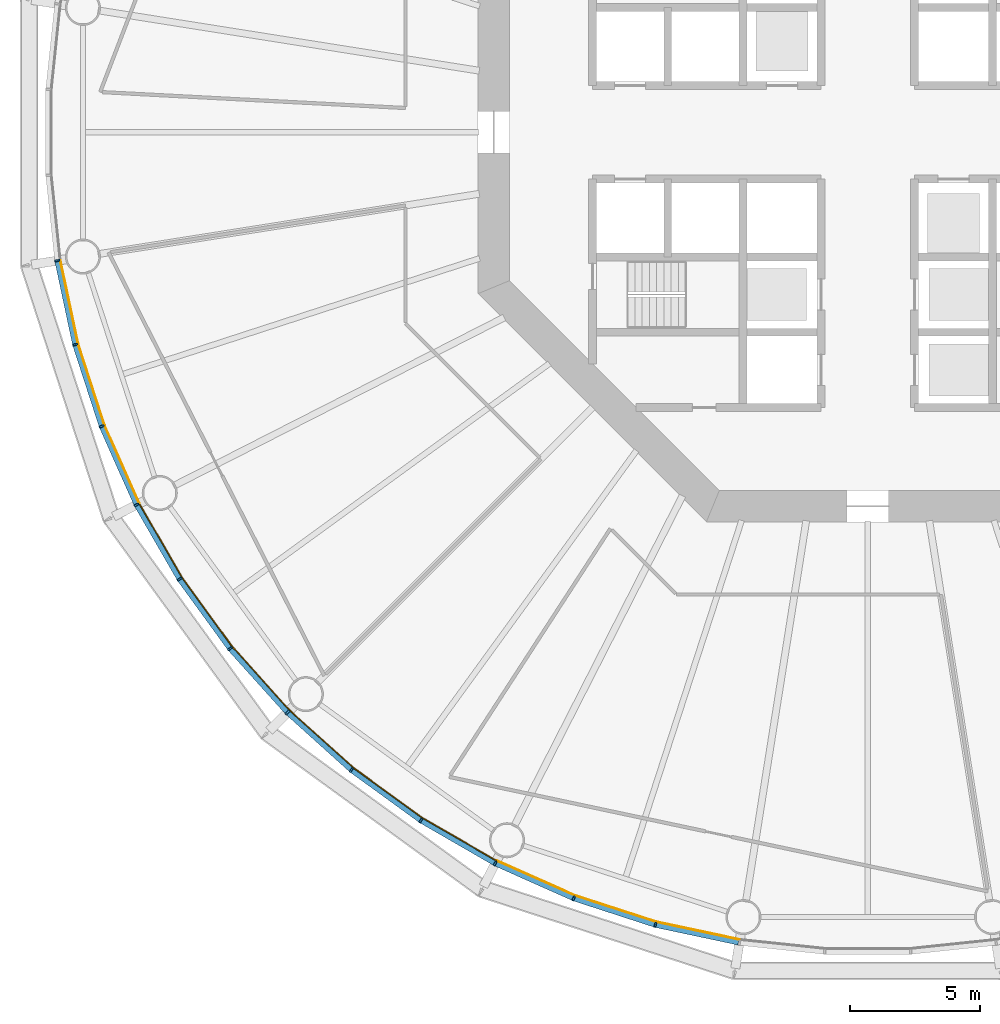
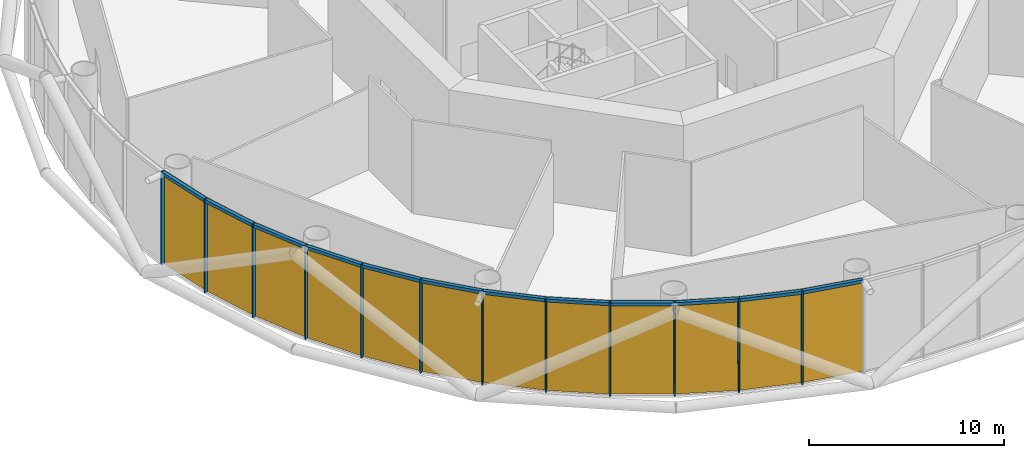
# One storey, part 7 of 14: 24 members, 4 curtain walls.
"""IFC4 building model written with IfcOpenShell, lengths in metres."""

from ifc_helpers import new_model, si_unit, direction, frame, origin, origin_2d, place, context, subcontext, project, spatial, polyline, rectangle, outline, extrude, material, layer, layer_set, material_profile, profile_set, type_object, element, aggregate, save


model = new_model("IFC4")

# Units and contexts
model_context = context("Model", 3, precision=1e-05, world=origin(), true_north=direction((0.0, 1.0)))
body_context = subcontext(model_context, "Body", "Model", "MODEL_VIEW")
ifc_project = project(units=[si_unit("LENGTHUNIT", "METRE"), si_unit("AREAUNIT", "SQUARE_METRE"), si_unit("VOLUMEUNIT", "CUBIC_METRE"), si_unit("PLANEANGLEUNIT", "RADIAN"), si_unit("MASSUNIT", "GRAM", prefix="KILO")], contexts=[model_context])

# Member
ifc_material_1 = material(Name="Anodised aluminium", Category="aluminium")
ifc_material_profile_1 = material_profile(ifc_material_1, rectangle(XDim=0.070068359375, YDim=0.199951171875, at=origin_2d()), Name="Mullion 70 x 200 mm anodised aluminium")
ifc_profile_set_1 = profile_set([ifc_material_profile_1], Name="Anodised aluminium")
member_type_1 = type_object("IfcMemberType", Name="Mullion 70 x 200 mm anodised aluminium", PredefinedType="MULLION", material=ifc_profile_set_1)
site_placement = place(None, origin())
building_placement = place(site_placement, origin())
storey_placement = place(building_placement, frame((0.0, 0.0, 132.0)))
member_1_placement = place(storey_placement, frame((58.7890625, 75.056640625, 0.0), z_axis=(0.0, 0.0, 1.0), x_axis=(0.15643446504, -0.987688340595, 0.0)))
member_1 = element("IfcMember", 1, at=member_1_placement, type_object=member_type_1, Name="MULLION L30-30", PredefinedType="MULLION", context=body_context, shape_type="SweptSolid", body=[
    extrude(rectangle(XDim=0.070068359375, YDim=0.199951171875, at=origin_2d()), origin(), (0.0, 0.0, 1.0), 5.85009765625),
])

member_2_placement = place(storey_placement, frame((59.476806640625, 71.8212890625, 0.0), z_axis=(0.0, 0.0, 1.0), x_axis=(0.258819045103, -0.965925826289, 0.0)))
member_2 = element("IfcMember", 2, at=member_2_placement, type_object=member_type_1, Name="MULLION L30-31", PredefinedType="MULLION", context=body_context, shape_type="SweptSolid", body=[
    extrude(rectangle(XDim=0.070068359375, YDim=0.199951171875, at=origin_2d()), origin(), (0.0, 0.0, 1.0), 5.85009765625),
])

member_3_placement = place(storey_placement, frame((60.498779296875, 68.675537109375, 0.0), z_axis=(0.0, 0.0, 1.0), x_axis=(0.358367949545, -0.933580426497, 0.0)))
member_3 = element("IfcMember", 3, at=member_3_placement, type_object=member_type_1, Name="MULLION L30-32", PredefinedType="MULLION", context=body_context, shape_type="SweptSolid", body=[
    extrude(rectangle(XDim=0.070068359375, YDim=0.199951171875, at=origin_2d()), origin(), (0.0, 0.0, 1.0), 5.85009765625),
])

member_4_placement = place(storey_placement, frame((61.84423828125, 65.65380859375, 0.0), z_axis=(0.0, 0.0, 1.0), x_axis=(0.45399049974, -0.891006524188, 0.0)))
member_4 = element("IfcMember", 4, at=member_4_placement, type_object=member_type_1, Name="MULLION L30-33", PredefinedType="MULLION", context=body_context, shape_type="SweptSolid", body=[
    extrude(rectangle(XDim=0.070068359375, YDim=0.199951171875, at=origin_2d()), origin(), (0.0, 0.0, 1.0), 5.85009765625),
])

member_5_placement = place(storey_placement, frame((63.498046875, 62.789306640625, 0.0), z_axis=(0.0, 0.0, 1.0), x_axis=(0.544639035015, -0.838670567945, 0.0)))
member_5 = element("IfcMember", 5, at=member_5_placement, type_object=member_type_1, Name="MULLION L30-34", PredefinedType="MULLION", context=body_context, shape_type="SweptSolid", body=[
    extrude(rectangle(XDim=0.070068359375, YDim=0.199951171875, at=origin_2d()), origin(), (0.0, 0.0, 1.0), 5.85009765625),
])

member_6_placement = place(storey_placement, frame((65.442138671875, 60.113525390625, 0.0), z_axis=(0.0, 0.0, 1.0), x_axis=(0.62932039105, -0.777145961457, 0.0)))
member_6 = element("IfcMember", 6, at=member_6_placement, type_object=member_type_1, Name="MULLION L30-35", PredefinedType="MULLION", context=body_context, shape_type="SweptSolid", body=[
    extrude(rectangle(XDim=0.070068359375, YDim=0.199951171875, at=origin_2d()), origin(), (0.0, 0.0, 1.0), 5.85009765625),
])

member_7_placement = place(storey_placement, frame((67.655517578125, 57.655517578125, 0.0), z_axis=(0.0, 0.0, 1.0), x_axis=(0.707106781187, -0.707106781187, 0.0)))
member_7 = element("IfcMember", 7, at=member_7_placement, type_object=member_type_1, Name="MULLION L30-36", PredefinedType="MULLION", context=body_context, shape_type="SweptSolid", body=[
    extrude(rectangle(XDim=0.070068359375, YDim=0.199951171875, at=origin_2d()), origin(), (0.0, 0.0, 1.0), 5.85009765625),
])

member_8_placement = place(storey_placement, frame((70.113525390625, 55.442138671875, 0.0), z_axis=(0.0, 0.0, 1.0), x_axis=(0.777145961457, -0.62932039105, 0.0)))
member_8 = element("IfcMember", 8, at=member_8_placement, type_object=member_type_1, Name="MULLION L30-37", PredefinedType="MULLION", context=body_context, shape_type="SweptSolid", body=[
    extrude(rectangle(XDim=0.070068359375, YDim=0.199951171875, at=origin_2d()), origin(), (0.0, 0.0, 1.0), 5.85009765625),
])

member_9_placement = place(storey_placement, frame((72.789306640625, 53.498046875, 0.0), z_axis=(0.0, 0.0, 1.0), x_axis=(0.838670567945, -0.544639035015, 0.0)))
member_9 = element("IfcMember", 9, at=member_9_placement, type_object=member_type_1, Name="MULLION L30-38", PredefinedType="MULLION", context=body_context, shape_type="SweptSolid", body=[
    extrude(rectangle(XDim=0.070068359375, YDim=0.199951171875, at=origin_2d()), origin(), (0.0, 0.0, 1.0), 5.85009765625),
])

member_10_placement = place(storey_placement, frame((75.65380859375, 51.84423828125, 0.0), z_axis=(0.0, 0.0, 1.0), x_axis=(0.891006524188, -0.45399049974, 0.0)))
member_10 = element("IfcMember", 10, at=member_10_placement, type_object=member_type_1, Name="MULLION L30-39", PredefinedType="MULLION", context=body_context, shape_type="SweptSolid", body=[
    extrude(rectangle(XDim=0.070068359375, YDim=0.199951171875, at=origin_2d()), origin(), (0.0, 0.0, 1.0), 5.85009765625),
])

member_11_placement = place(storey_placement, frame((78.675537109375, 50.498779296875, 0.0), z_axis=(0.0, 0.0, 1.0), x_axis=(0.933580426497, -0.358367949545, 0.0)))
member_11 = element("IfcMember", 11, at=member_11_placement, type_object=member_type_1, Name="MULLION L30-40", PredefinedType="MULLION", context=body_context, shape_type="SweptSolid", body=[
    extrude(rectangle(XDim=0.070068359375, YDim=0.199951171875, at=origin_2d()), origin(), (0.0, 0.0, 1.0), 5.85009765625),
])

member_12_placement = place(storey_placement, frame((81.8212890625, 49.476806640625, 0.0), z_axis=(0.0, 0.0, 1.0), x_axis=(0.965925826289, -0.258819045103, 0.0)))
member_12 = element("IfcMember", 12, at=member_12_placement, type_object=member_type_1, Name="MULLION L30-41", PredefinedType="MULLION", context=body_context, shape_type="SweptSolid", body=[
    extrude(rectangle(XDim=0.070068359375, YDim=0.199951171875, at=origin_2d()), origin(), (0.0, 0.0, 1.0), 5.85009765625),
])

ifc_material_2 = material(Name="Anodised aluminium", Category="aluminium")
ifc_material_profile_2 = material_profile(ifc_material_2, rectangle(XDim=0.199951171875, YDim=0.18994140625, at=origin_2d()), Name="Transom 190 x 200 mm anodised aluminium")
ifc_profile_set_2 = profile_set([ifc_material_profile_2], Name="Anodised aluminium")
member_type_2 = type_object("IfcMemberType", Name="Transom 190 x 200 mm anodised aluminium", PredefinedType="USERDEFINED", material=ifc_profile_set_2)
member_13_placement = place(storey_placement, frame((58.79736328125, 75.017333984375, 5.7548828125), z_axis=(0.207885898771, -0.978153082647, 0.0), x_axis=(0.978153082647, 0.207885898771, 0.0)))
member_13 = element("IfcMember", 13, at=member_13_placement, type_object=member_type_2, Name="TRANSOM L30-30", ObjectType="TRANSOM", PredefinedType="USERDEFINED", context=body_context, shape_type="SweptSolid", body=[
    extrude(rectangle(XDim=0.199951171875, YDim=0.18994140625, at=origin_2d()), origin(), (0.0, 0.0, 1.0), 3.227294921875),
])

member_14_placement = place(storey_placement, frame((59.489013671875, 71.782958984375, 5.7548828125), z_axis=(0.309046726844, -0.951046855117, 0.0), x_axis=(0.951046855117, 0.309046726844, 0.0)))
member_14 = element("IfcMember", 14, at=member_14_placement, type_object=member_type_2, Name="TRANSOM L30-31", ObjectType="TRANSOM", PredefinedType="USERDEFINED", context=body_context, shape_type="SweptSolid", body=[
    extrude(rectangle(XDim=0.199951171875, YDim=0.18994140625, at=origin_2d()), origin(), (0.0, 0.0, 1.0), 3.22705078125),
])

member_15_placement = place(storey_placement, frame((60.51513671875, 68.638671875, 5.7548828125), z_axis=(0.406728032322, -0.913549291349, 0.0), x_axis=(0.913549291349, 0.406728032322, 0.0)))
member_15 = element("IfcMember", 15, at=member_15_placement, type_object=member_type_2, Name="TRANSOM L30-32", ObjectType="TRANSOM", PredefinedType="USERDEFINED", context=body_context, shape_type="SweptSolid", body=[
    extrude(rectangle(XDim=0.199951171875, YDim=0.18994140625, at=origin_2d()), origin(), (0.0, 0.0, 1.0), 3.22705078125),
])

member_16_placement = place(storey_placement, frame((61.8642578125, 65.618896484375, 5.7548828125), z_axis=(0.500004055213, -0.866023062494, 0.0), x_axis=(0.866023062494, 0.500004055213, 0.0)))
member_16 = element("IfcMember", 16, at=member_16_placement, type_object=member_type_2, Name="TRANSOM L30-33", ObjectType="TRANSOM", PredefinedType="USERDEFINED", context=body_context, shape_type="SweptSolid", body=[
    extrude(rectangle(XDim=0.199951171875, YDim=0.18994140625, at=origin_2d()), origin(), (0.0, 0.0, 1.0), 3.22705078125),
])

member_17_placement = place(storey_placement, frame((63.521484375, 62.7568359375, 5.7548828125), z_axis=(0.587802790201, -0.809004252048, 0.0), x_axis=(0.809004252048, 0.587802790201, 0.0)))
member_17 = element("IfcMember", 17, at=member_17_placement, type_object=member_type_2, Name="TRANSOM L30-34", ObjectType="TRANSOM", PredefinedType="USERDEFINED", context=body_context, shape_type="SweptSolid", body=[
    extrude(rectangle(XDim=0.199951171875, YDim=0.18994140625, at=origin_2d()), origin(), (0.0, 0.0, 1.0), 3.227294921875),
])

member_18_placement = place(storey_placement, frame((65.468994140625, 60.08349609375, 5.7548828125), z_axis=(0.669144438484, -0.743132370743, 0.0), x_axis=(0.743132370743, 0.669144438484, 0.0)))
member_18 = element("IfcMember", 18, at=member_18_placement, type_object=member_type_2, Name="TRANSOM L30-35", ObjectType="TRANSOM", PredefinedType="USERDEFINED", context=body_context, shape_type="SweptSolid", body=[
    extrude(rectangle(XDim=0.199951171875, YDim=0.18994140625, at=origin_2d()), origin(), (0.0, 0.0, 1.0), 3.22705078125),
])

member_19_placement = place(storey_placement, frame((67.685302734375, 57.62841796875, 5.7548828125), z_axis=(0.743132370743, -0.669144438484, 0.0), x_axis=(0.669144438484, 0.743132370743, 0.0)))
member_19 = element("IfcMember", 19, at=member_19_placement, type_object=member_type_2, Name="TRANSOM L30-36", ObjectType="TRANSOM", PredefinedType="USERDEFINED", context=body_context, shape_type="SweptSolid", body=[
    extrude(rectangle(XDim=0.199951171875, YDim=0.18994140625, at=origin_2d()), origin(), (0.0, 0.0, 1.0), 3.22705078125),
])

member_20_placement = place(storey_placement, frame((70.14599609375, 55.41845703125, 5.7548828125), z_axis=(0.809004252048, -0.587802790201, 0.0), x_axis=(0.587802790201, 0.809004252048, 0.0)))
member_20 = element("IfcMember", 20, at=member_20_placement, type_object=member_type_2, Name="TRANSOM L30-37", ObjectType="TRANSOM", PredefinedType="USERDEFINED", context=body_context, shape_type="SweptSolid", body=[
    extrude(rectangle(XDim=0.199951171875, YDim=0.18994140625, at=origin_2d()), origin(), (0.0, 0.0, 1.0), 3.227294921875),
])

member_21_placement = place(storey_placement, frame((72.82421875, 53.477783203125, 5.7548828125), z_axis=(0.866023062494, -0.500004055213, 0.0), x_axis=(0.500004055213, 0.866023062494, 0.0)))
member_21 = element("IfcMember", 21, at=member_21_placement, type_object=member_type_2, Name="TRANSOM L30-38", ObjectType="TRANSOM", PredefinedType="USERDEFINED", context=body_context, shape_type="SweptSolid", body=[
    extrude(rectangle(XDim=0.199951171875, YDim=0.18994140625, at=origin_2d()), origin(), (0.0, 0.0, 1.0), 3.22705078125),
])

member_22_placement = place(storey_placement, frame((75.690673828125, 51.82763671875, 5.7548828125), z_axis=(0.913549291349, -0.406728032322, 0.0), x_axis=(0.406728032322, 0.913549291349, 0.0)))
member_22 = element("IfcMember", 22, at=member_22_placement, type_object=member_type_2, Name="TRANSOM L30-39", ObjectType="TRANSOM", PredefinedType="USERDEFINED", context=body_context, shape_type="SweptSolid", body=[
    extrude(rectangle(XDim=0.199951171875, YDim=0.18994140625, at=origin_2d()), origin(), (0.0, 0.0, 1.0), 3.22705078125),
])

member_23_placement = place(storey_placement, frame((78.7138671875, 50.486328125, 5.7548828125), z_axis=(0.951046855117, -0.309046726844, 0.0), x_axis=(0.309046726844, 0.951046855117, 0.0)))
member_23 = element("IfcMember", 23, at=member_23_placement, type_object=member_type_2, Name="TRANSOM L30-40", ObjectType="TRANSOM", PredefinedType="USERDEFINED", context=body_context, shape_type="SweptSolid", body=[
    extrude(rectangle(XDim=0.199951171875, YDim=0.18994140625, at=origin_2d()), origin(), (0.0, 0.0, 1.0), 3.22705078125),
])

member_24_placement = place(storey_placement, frame((81.860595703125, 49.46826171875, 5.7548828125), z_axis=(0.978153082647, -0.207885898771, 0.0), x_axis=(0.207885898771, 0.978153082647, 0.0)))
member_24 = element("IfcMember", 24, at=member_24_placement, type_object=member_type_2, Name="TRANSOM L30-41", ObjectType="TRANSOM", PredefinedType="USERDEFINED", context=body_context, shape_type="SweptSolid", body=[
    extrude(rectangle(XDim=0.199951171875, YDim=0.18994140625, at=origin_2d()), origin(), (0.0, 0.0, 1.0), 3.227294921875),
])

# Site, building, storey
site = spatial("IfcSite", under=ifc_project, at=site_placement, CompositionType="ELEMENT")
building = spatial("IfcBuilding", under=site, at=building_placement, Name="Entoto Ring Tower", CompositionType="ELEMENT")
storey = spatial("IfcBuildingStorey", under=building, at=storey_placement, Name="L30", CompositionType="ELEMENT", Elevation=132.0)

# Curtain wall
ifc_material_3 = material(Name="Clear low-iron glass", Category="glass")
ifc_layer = layer(ifc_material_3, 0.035888671875)
ifc_layer_set = layer_set([ifc_layer], Name="Clear low-iron glass")
curtain_wall_type = type_object("IfcCurtainWallType", Name="Curtain wall system CW2 glazing 36 mm", PredefinedType="NOTDEFINED", material=ifc_layer_set)
curtain_wall_1_placement = place(storey_placement, origin())
curtain_wall_1 = element("IfcCurtainWall", 25, at=curtain_wall_1_placement, inside=storey, type_object=curtain_wall_type, Name="CW2 L30-11", PredefinedType="NOTDEFINED", context=body_context, shape_type="SweptSolid", body=[
    extrude(outline(polyline([(58.8876953125, 75.072265625), (59.5732421875, 71.84716796875), (60.59228515625, 68.71142578125), (61.933349609375, 65.69921875), (61.96533203125, 65.715576171875), (60.6259765625, 68.724365234375), (59.608154296875, 71.8564453125), (58.92333984375, 75.077880859375), (58.8876953125, 75.072265625)])), origin(), (0.0, 0.0, 1.0), 5.85009765625),
])

aggregate(curtain_wall_1, [member_1, member_2, member_3, member_13, member_14, member_15])

curtain_wall_2_placement = place(storey_placement, origin())
curtain_wall_2 = element("IfcCurtainWall", 26, at=curtain_wall_2_placement, inside=storey, type_object=curtain_wall_type, Name="CW2 L30-12", PredefinedType="NOTDEFINED", context=body_context, shape_type="SweptSolid", body=[
    extrude(outline(polyline([(61.933349609375, 65.69921875), (63.581787109375, 62.84375), (65.52001953125, 60.176513671875), (67.72607421875, 57.72607421875), (67.751708984375, 57.751708984375), (65.5478515625, 60.198974609375), (63.612060546875, 62.863525390625), (61.96533203125, 65.715576171875), (61.933349609375, 65.69921875)])), origin(), (0.0, 0.0, 1.0), 5.85009765625),
])

aggregate(curtain_wall_2, [member_4, member_5, member_6, member_16, member_17, member_18])

curtain_wall_3_placement = place(storey_placement, origin())
curtain_wall_3 = element("IfcCurtainWall", 27, at=curtain_wall_3_placement, inside=storey, type_object=curtain_wall_type, Name="CW2 L30-13", PredefinedType="NOTDEFINED", context=body_context, shape_type="SweptSolid", body=[
    extrude(outline(polyline([(67.72607421875, 57.72607421875), (70.176513671875, 55.52001953125), (72.84375, 53.581787109375), (75.69921875, 51.933349609375), (75.715576171875, 51.96533203125), (72.863525390625, 53.612060546875), (70.198974609375, 55.5478515625), (67.751708984375, 57.751708984375), (67.72607421875, 57.72607421875)])), origin(), (0.0, 0.0, 1.0), 5.85009765625),
])

aggregate(curtain_wall_3, [member_7, member_8, member_9, member_19, member_20, member_21])

curtain_wall_4_placement = place(storey_placement, origin())
curtain_wall_4 = element("IfcCurtainWall", 28, at=curtain_wall_4_placement, inside=storey, type_object=curtain_wall_type, Name="CW2 L30-14", PredefinedType="NOTDEFINED", context=body_context, shape_type="SweptSolid", body=[
    extrude(outline(polyline([(75.69921875, 51.933349609375), (78.71142578125, 50.59228515625), (81.84716796875, 49.5732421875), (85.072265625, 48.8876953125), (85.077880859375, 48.92333984375), (81.8564453125, 49.608154296875), (78.724365234375, 50.6259765625), (75.715576171875, 51.96533203125), (75.69921875, 51.933349609375)])), origin(), (0.0, 0.0, 1.0), 5.85009765625),
])

aggregate(curtain_wall_4, [member_10, member_11, member_12, member_22, member_23, member_24])

save(model, "model.ifc")
